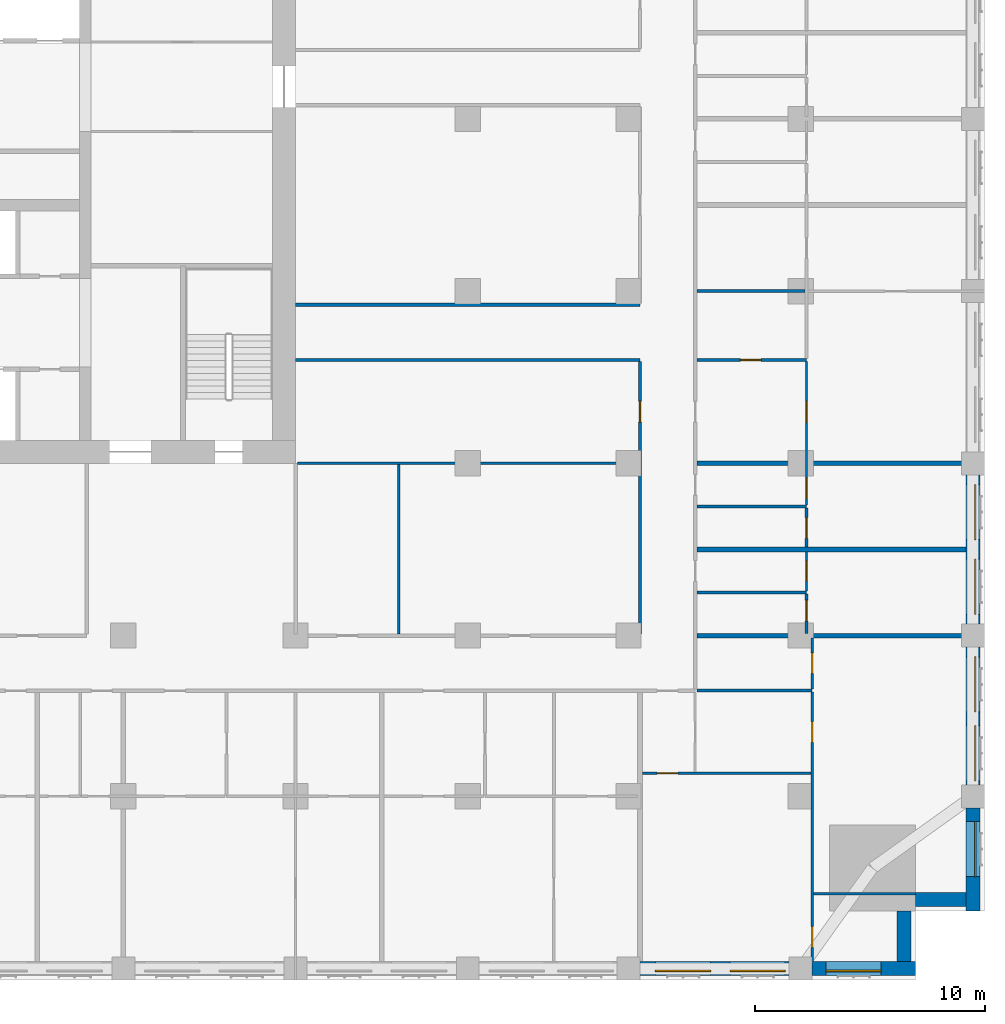
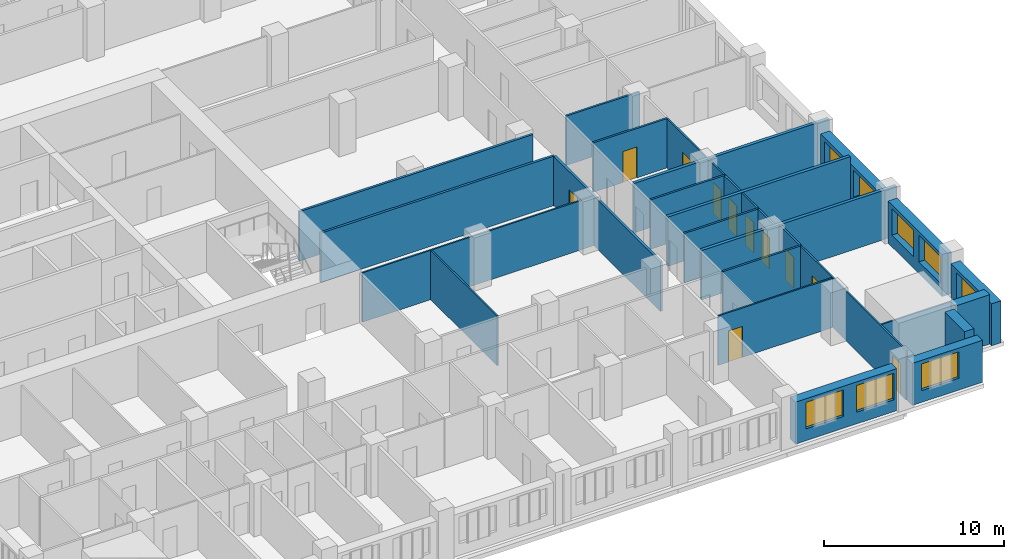
# One storey, part 7 of 15: 28 walls, 11 doors, 8 windows, 19 openings.
"""IFC4 building model written with IfcOpenShell, lengths in metres."""

from ifc_helpers import new_model, si_unit, direction, frame, frame_2d, origin, place, context, subcontext, project, spatial, rectangle, extrude, material, layer, layer_set, type_object, element, fill, save


model = new_model("IFC4")

# Units and contexts
model_context = context("Model", 3, precision=1e-05, world=origin(), true_north=direction((0.0, 1.0)))
body_context = subcontext(model_context, "Body", "Model", "MODEL_VIEW")
ifc_project = project(units=[si_unit("LENGTHUNIT", "METRE"), si_unit("AREAUNIT", "SQUARE_METRE"), si_unit("VOLUMEUNIT", "CUBIC_METRE"), si_unit("PLANEANGLEUNIT", "RADIAN"), si_unit("MASSUNIT", "GRAM", prefix="KILO")], contexts=[model_context])

# Site, building, storey
site_placement = place(None, origin())
site = spatial("IfcSite", under=ifc_project, at=site_placement, CompositionType="ELEMENT")
building_placement = place(site_placement, origin())
building = spatial("IfcBuilding", under=site, at=building_placement, Name="Tamorin Gate", CompositionType="ELEMENT")
storey_placement = place(building_placement, frame((0.0, 0.0, 111.5)))
storey = spatial("IfcBuildingStorey", under=building, at=storey_placement, Name="L27", CompositionType="ELEMENT", Elevation=111.5)

# Wall, openings, windows
ifc_material_1 = material(Name="Precast concrete C40/50", Category="concrete")
ifc_layer_1 = layer(ifc_material_1, 0.60009765625)
ifc_layer_set_1 = layer_set([ifc_layer_1], Name="Precast concrete C40/50")
wall_type_1 = type_object("IfcWallType", Name="Board-marked concrete facade panel 600", PredefinedType="SOLIDWALL", material=ifc_layer_set_1)
wall_1_placement = place(storey_placement, frame((75.0, 38.0, 0.0), z_axis=(0.0, 0.0, 1.0), x_axis=(1.0, 0.0, 0.0)))
wall_1 = element("IfcWall", 1, at=wall_1_placement, inside=storey, type_object=wall_type_1, Name="Facade panel", PredefinedType="SOLIDWALL", context=body_context, shape_type="SweptSolid", body=[
    extrude(rectangle(XDim=6.5, YDim=0.60009765625, at=frame_2d((3.25, 0.0))), origin(), (0.0, 0.0, 1.0), 2.85009765625),
])
opening_1_placement = place(wall_1_placement, frame((0.675048828125, 0.0, 0.800048828125)))
opening_1 = element("IfcOpeningElement", 2, at=opening_1_placement, cuts=wall_1, Name="Opening WN1", PredefinedType="OPENING", context=body_context, shape_type="SweptSolid", body=[
    extrude(rectangle(XDim=2.39990234375, YDim=1.800048828125, at=frame_2d((1.199951171875, 0.89990234375))), frame((0.0, 0.31005859375, 0.0), z_axis=(0.0, -1.0, 0.0), x_axis=(1.0, 0.0, 0.0)), (0.0, 0.0, 1.0), 0.6201171875),
])
opening_2_placement = place(wall_1_placement, frame((3.925048828125, 0.0, 0.800048828125)))
opening_2 = element("IfcOpeningElement", 3, at=opening_2_placement, cuts=wall_1, Name="Opening WN1", PredefinedType="OPENING", context=body_context, shape_type="SweptSolid", body=[
    extrude(rectangle(XDim=2.39990234375, YDim=1.800048828125, at=frame_2d((1.199951171875, 0.89990234375))), frame((0.0, 0.31005859375, 0.0), z_axis=(0.0, -1.0, 0.0), x_axis=(1.0, 0.0, 0.0)), (0.0, 0.0, 1.0), 0.6201171875),
])
ifc_material_2 = material(Name="Clear glass in aluminium frame", Category="aluminium")
window_type = type_object("IfcWindowType", Name="Deep-set window 2400x1800", PartitioningType="SINGLE_PANEL", PredefinedType="WINDOW", material=ifc_material_2)
window_1_placement = place(opening_1_placement, origin())
window_1 = element("IfcWindow", 4, at=window_1_placement, inside=storey, type_object=window_type, Name="Deep-set window", OverallHeight=1.800048828125, OverallWidth=2.39990234375, PartitioningType="SINGLE_PANEL", PredefinedType="WINDOW", context=body_context, shape_type="SweptSolid", body=[
    extrude(rectangle(XDim=2.39990234375, YDim=1.800048828125, at=frame_2d((1.199951171875, 0.89990234375))), frame((0.0, -0.070068359375, 0.0), z_axis=(0.0, -1.0, 0.0), x_axis=(1.0, 0.0, 0.0)), (0.0, 0.0, 1.0), 0.06005859375),
])
fill(opening_1, window_1)
window_2_placement = place(opening_2_placement, origin())
window_2 = element("IfcWindow", 5, at=window_2_placement, inside=storey, type_object=window_type, Name="Deep-set window", OverallHeight=1.800048828125, OverallWidth=2.39990234375, PartitioningType="SINGLE_PANEL", PredefinedType="WINDOW", context=body_context, shape_type="SweptSolid", body=[
    extrude(rectangle(XDim=2.39990234375, YDim=1.800048828125, at=frame_2d((1.199951171875, 0.89990234375))), frame((0.0, -0.070068359375, 0.0), z_axis=(0.0, -1.0, 0.0), x_axis=(1.0, 0.0, 0.0)), (0.0, 0.0, 1.0), 0.06005859375),
])
fill(opening_2, window_2)

# Wall, opening, window
wall_2_placement = place(storey_placement, frame((82.5, 38.0, 0.0), z_axis=(0.0, 0.0, 1.0), x_axis=(1.0, 0.0, 0.0)))
wall_2 = element("IfcWall", 6, at=wall_2_placement, inside=storey, type_object=wall_type_1, Name="Facade panel", PredefinedType="SOLIDWALL", context=body_context, shape_type="SweptSolid", body=[
    extrude(rectangle(XDim=4.5, YDim=0.60009765625, at=frame_2d((2.25, 0.0))), origin(), (0.0, 0.0, 1.0), 2.85009765625),
])
opening_3_placement = place(wall_2_placement, frame((0.60009765625, 0.0, 0.800048828125)))
opening_3 = element("IfcOpeningElement", 7, at=opening_3_placement, cuts=wall_2, Name="Opening WN1", PredefinedType="OPENING", context=body_context, shape_type="SweptSolid", body=[
    extrude(rectangle(XDim=2.39990234375, YDim=1.800048828125, at=frame_2d((1.199951171875, 0.89990234375))), frame((0.0, 0.31005859375, 0.0), z_axis=(0.0, -1.0, 0.0), x_axis=(1.0, 0.0, 0.0)), (0.0, 0.0, 1.0), 0.6201171875),
])
window_3_placement = place(opening_3_placement, origin())
window_3 = element("IfcWindow", 8, at=window_3_placement, inside=storey, type_object=window_type, Name="Deep-set window", OverallHeight=1.800048828125, OverallWidth=2.39990234375, PartitioningType="SINGLE_PANEL", PredefinedType="WINDOW", context=body_context, shape_type="SweptSolid", body=[
    extrude(rectangle(XDim=2.39990234375, YDim=1.800048828125, at=frame_2d((1.199951171875, 0.89990234375))), frame((0.0, -0.070068359375, 0.0), z_axis=(0.0, -1.0, 0.0), x_axis=(1.0, 0.0, 0.0)), (0.0, 0.0, 1.0), 0.06005859375),
])
fill(opening_3, window_3)

# Walls
for number, where, z_axis, x_axis, name in (
    (9, (86.5, 38.300048828125, 0.0), (0.0, 0.0, 1.0), (0.0, 1.0, 0.0), "Facade panel"),
    (10, (87.0, 41.0, 0.0), (0.0, 0.0, 1.0), (1.0, 0.0, 0.0), "Facade panel"),
):
    element("IfcWall", number, at=place(storey_placement, frame(where, z_axis=z_axis, x_axis=x_axis)), inside=storey, type_object=wall_type_1, Name=name, PredefinedType="SOLIDWALL", context=body_context, shape_type="SweptSolid", body=[
        extrude(rectangle(XDim=2.199951171875, YDim=0.60009765625, at=frame_2d((1.10009765625, 0.0))), origin(), (0.0, 0.0, 1.0), 3.35009765625),
    ])

# Wall, opening, window
wall_3_placement = place(storey_placement, frame((89.5, 40.5, 0.0), z_axis=(0.0, 0.0, 1.0), x_axis=(0.0, 1.0, 0.0)))
wall_3 = element("IfcWall", 11, at=wall_3_placement, inside=storey, type_object=wall_type_1, Name="Facade panel", PredefinedType="SOLIDWALL", context=body_context, shape_type="SweptSolid", body=[
    extrude(rectangle(XDim=4.5, YDim=0.60009765625, at=frame_2d((2.25, 0.0))), origin(), (0.0, 0.0, 1.0), 2.85009765625),
])
opening_4_placement = place(wall_3_placement, frame((1.5, 0.0, 0.800048828125)))
opening_4 = element("IfcOpeningElement", 12, at=opening_4_placement, cuts=wall_3, Name="Opening WN1", PredefinedType="OPENING", context=body_context, shape_type="SweptSolid", body=[
    extrude(rectangle(XDim=2.39990234375, YDim=1.800048828125, at=frame_2d((1.199951171875, 0.89990234375))), frame((0.0, 0.31005859375, 0.0), z_axis=(0.0, -1.0, 0.0), x_axis=(1.0, 0.0, 0.0)), (0.0, 0.0, 1.0), 0.6201171875),
])
window_4_placement = place(opening_4_placement, origin())
window_4 = element("IfcWindow", 13, at=window_4_placement, inside=storey, type_object=window_type, Name="Deep-set window", OverallHeight=1.800048828125, OverallWidth=2.39990234375, PartitioningType="SINGLE_PANEL", PredefinedType="WINDOW", context=body_context, shape_type="SweptSolid", body=[
    extrude(rectangle(XDim=2.39990234375, YDim=1.800048828125, at=frame_2d((1.199951171875, 0.89990234375))), frame((0.0, -0.070068359375, 0.0), z_axis=(0.0, -1.0, 0.0), x_axis=(1.0, 0.0, 0.0)), (0.0, 0.0, 1.0), 0.06005859375),
])
fill(opening_4, window_4)

# Wall, openings, windows
wall_4_placement = place(storey_placement, frame((89.5, 46.0, 0.0), z_axis=(0.0, 0.0, 1.0), x_axis=(0.0, 1.0, 0.0)))
wall_4 = element("IfcWall", 14, at=wall_4_placement, inside=storey, type_object=wall_type_1, Name="Facade panel", PredefinedType="SOLIDWALL", context=body_context, shape_type="SweptSolid", body=[
    extrude(rectangle(XDim=6.0, YDim=0.60009765625, at=frame_2d((3.0, 0.0))), origin(), (0.0, 0.0, 1.0), 2.85009765625),
])
opening_5_placement = place(wall_4_placement, frame((0.175048828125, 0.0, 0.800048828125)))
opening_5 = element("IfcOpeningElement", 15, at=opening_5_placement, cuts=wall_4, Name="Opening WN1", PredefinedType="OPENING", context=body_context, shape_type="SweptSolid", body=[
    extrude(rectangle(XDim=2.39990234375, YDim=1.800048828125, at=frame_2d((1.199951171875, 0.89990234375))), frame((0.0, 0.31005859375, 0.0), z_axis=(0.0, -1.0, 0.0), x_axis=(1.0, 0.0, 0.0)), (0.0, 0.0, 1.0), 0.6201171875),
])
opening_6_placement = place(wall_4_placement, frame((3.175048828125, 0.0, 0.800048828125)))
opening_6 = element("IfcOpeningElement", 16, at=opening_6_placement, cuts=wall_4, Name="Opening WN1", PredefinedType="OPENING", context=body_context, shape_type="SweptSolid", body=[
    extrude(rectangle(XDim=2.39990234375, YDim=1.800048828125, at=frame_2d((1.199951171875, 0.89990234375))), frame((0.0, 0.31005859375, 0.0), z_axis=(0.0, -1.0, 0.0), x_axis=(1.0, 0.0, 0.0)), (0.0, 0.0, 1.0), 0.6201171875),
])
window_5_placement = place(opening_5_placement, origin())
window_5 = element("IfcWindow", 17, at=window_5_placement, inside=storey, type_object=window_type, Name="Deep-set window", OverallHeight=1.800048828125, OverallWidth=2.39990234375, PartitioningType="SINGLE_PANEL", PredefinedType="WINDOW", context=body_context, shape_type="SweptSolid", body=[
    extrude(rectangle(XDim=2.39990234375, YDim=1.800048828125, at=frame_2d((1.199951171875, 0.89990234375))), frame((0.0, -0.070068359375, 0.0), z_axis=(0.0, -1.0, 0.0), x_axis=(1.0, 0.0, 0.0)), (0.0, 0.0, 1.0), 0.06005859375),
])
fill(opening_5, window_5)
window_6_placement = place(opening_6_placement, origin())
window_6 = element("IfcWindow", 18, at=window_6_placement, inside=storey, type_object=window_type, Name="Deep-set window", OverallHeight=1.800048828125, OverallWidth=2.39990234375, PartitioningType="SINGLE_PANEL", PredefinedType="WINDOW", context=body_context, shape_type="SweptSolid", body=[
    extrude(rectangle(XDim=2.39990234375, YDim=1.800048828125, at=frame_2d((1.199951171875, 0.89990234375))), frame((0.0, -0.070068359375, 0.0), z_axis=(0.0, -1.0, 0.0), x_axis=(1.0, 0.0, 0.0)), (0.0, 0.0, 1.0), 0.06005859375),
])
fill(opening_6, window_6)

wall_5_placement = place(storey_placement, frame((89.5, 53.0, 0.0), z_axis=(0.0, 0.0, 1.0), x_axis=(0.0, 1.0, 0.0)))
wall_5 = element("IfcWall", 19, at=wall_5_placement, inside=storey, type_object=wall_type_1, Name="Facade panel", PredefinedType="SOLIDWALL", context=body_context, shape_type="SweptSolid", body=[
    extrude(rectangle(XDim=6.5, YDim=0.60009765625, at=frame_2d((3.25, 0.0))), origin(), (0.0, 0.0, 1.0), 2.85009765625),
])
opening_7_placement = place(wall_5_placement, frame((0.425048828125, 0.0, 0.800048828125)))
opening_7 = element("IfcOpeningElement", 20, at=opening_7_placement, cuts=wall_5, Name="Opening WN1", PredefinedType="OPENING", context=body_context, shape_type="SweptSolid", body=[
    extrude(rectangle(XDim=2.39990234375, YDim=1.800048828125, at=frame_2d((1.199951171875, 0.89990234375))), frame((0.0, 0.31005859375, 0.0), z_axis=(0.0, -1.0, 0.0), x_axis=(1.0, 0.0, 0.0)), (0.0, 0.0, 1.0), 0.6201171875),
])
opening_8_placement = place(wall_5_placement, frame((3.675048828125, 0.0, 0.800048828125)))
opening_8 = element("IfcOpeningElement", 21, at=opening_8_placement, cuts=wall_5, Name="Opening WN1", PredefinedType="OPENING", context=body_context, shape_type="SweptSolid", body=[
    extrude(rectangle(XDim=2.39990234375, YDim=1.800048828125, at=frame_2d((1.199951171875, 0.89990234375))), frame((0.0, 0.31005859375, 0.0), z_axis=(0.0, -1.0, 0.0), x_axis=(1.0, 0.0, 0.0)), (0.0, 0.0, 1.0), 0.6201171875),
])
window_7_placement = place(opening_7_placement, origin())
window_7 = element("IfcWindow", 22, at=window_7_placement, inside=storey, type_object=window_type, Name="Deep-set window", OverallHeight=1.800048828125, OverallWidth=2.39990234375, PartitioningType="SINGLE_PANEL", PredefinedType="WINDOW", context=body_context, shape_type="SweptSolid", body=[
    extrude(rectangle(XDim=2.39990234375, YDim=1.800048828125, at=frame_2d((1.199951171875, 0.89990234375))), frame((0.0, -0.070068359375, 0.0), z_axis=(0.0, -1.0, 0.0), x_axis=(1.0, 0.0, 0.0)), (0.0, 0.0, 1.0), 0.06005859375),
])
fill(opening_7, window_7)
window_8_placement = place(opening_8_placement, origin())
window_8 = element("IfcWindow", 23, at=window_8_placement, inside=storey, type_object=window_type, Name="Deep-set window", OverallHeight=1.800048828125, OverallWidth=2.39990234375, PartitioningType="SINGLE_PANEL", PredefinedType="WINDOW", context=body_context, shape_type="SweptSolid", body=[
    extrude(rectangle(XDim=2.39990234375, YDim=1.800048828125, at=frame_2d((1.199951171875, 0.89990234375))), frame((0.0, -0.070068359375, 0.0), z_axis=(0.0, -1.0, 0.0), x_axis=(1.0, 0.0, 0.0)), (0.0, 0.0, 1.0), 0.06005859375),
])
fill(opening_8, window_8)

# Wall, opening, door
ifc_material_3 = material(Name="Gypsum board partition")
ifc_layer_2 = layer(ifc_material_3, 0.14990234375)
ifc_layer_set_2 = layer_set([ifc_layer_2], Name="Corridor wall 150")
wall_type_2 = type_object("IfcWallType", Name="Corridor wall 150", PredefinedType="PARTITIONING", material=ifc_layer_set_2)
wall_6_placement = place(storey_placement, frame((75.0, 52.574951171875, 0.0), z_axis=(0.0, 0.0, 1.0), x_axis=(0.0, 1.0, 0.0)))
wall_6 = element("IfcWall", 24, at=wall_6_placement, inside=storey, type_object=wall_type_2, Name="Corridor wall 150", PredefinedType="PARTITIONING", context=body_context, shape_type="SweptSolid", body=[
    extrude(rectangle(XDim=11.85009765625, YDim=0.14990234375, at=frame_2d((5.925048828125, 0.0))), origin(), (0.0, 0.0, 1.0), 3.35009765625),
])
opening_9_placement = place(wall_6_placement, frame((9.22509765625, 0.0, 0.0)))
opening_9 = element("IfcOpeningElement", 25, at=opening_9_placement, cuts=wall_6, Name="Opening DH6095", PredefinedType="OPENING", context=body_context, shape_type="SweptSolid", body=[
    extrude(rectangle(XDim=0.89990234375, YDim=2.10009765625, at=frame_2d((0.449951171875, 1.050048828125))), frame((0.0, 0.0849609375, 0.0), z_axis=(0.0, -1.0, 0.0), x_axis=(1.0, 0.0, 0.0)), (0.0, 0.0, 1.0), 0.169921875),
])
ifc_material_4 = material(Name="Timber door leaf", Category="wood")
door_type_1 = type_object("IfcDoorType", Name="Door 900 x 2100 FD30S", OperationType="NOTDEFINED", PredefinedType="DOOR", material=ifc_material_4)
door_1_placement = place(opening_9_placement, origin())
door_1 = element("IfcDoor", 26, at=door_1_placement, inside=storey, type_object=door_type_1, Name="Door DH6095", OperationType="SINGLE_SWING_LEFT", OverallHeight=2.10009765625, OverallWidth=0.89990234375, PredefinedType="DOOR", context=body_context, shape_type="SweptSolid", body=[
    extrude(rectangle(XDim=0.89990234375, YDim=2.10009765625, at=frame_2d((0.449951171875, 1.050048828125))), frame((0.0, 0.02490234375, 0.0), z_axis=(0.0, -1.0, 0.0), x_axis=(1.0, 0.0, 0.0)), (0.0, 0.0, 1.0), 0.050048828125),
])
fill(opening_9, door_1)

# Walls
ifc_layer_3 = layer(ifc_material_3, 0.199951171875)
ifc_layer_set_3 = layer_set([ifc_layer_3], Name="Demising wall 200")
wall_type_3 = type_object("IfcWallType", Name="Demising wall 200", PredefinedType="PARTITIONING", material=ifc_layer_set_3)
wall_7_placement = place(storey_placement, frame((77.47509765625, 52.5, 0.0), z_axis=(0.0, 0.0, 1.0), x_axis=(1.0, 0.0, 0.0)))
element("IfcWall", 27, at=wall_7_placement, inside=storey, type_object=wall_type_3, Name="Demising wall 200", PredefinedType="PARTITIONING", context=body_context, shape_type="SweptSolid", body=[
    extrude(rectangle(XDim=12.52490234375, YDim=0.199951171875, at=frame_2d((6.262451171875, 0.0))), origin(), (0.0, 0.0, 1.0), 3.35009765625),
])
wall_8_placement = place(storey_placement, frame((77.47509765625, 56.25, 0.0), z_axis=(0.0, 0.0, 1.0), x_axis=(1.0, 0.0, 0.0)))
element("IfcWall", 28, at=wall_8_placement, inside=storey, type_object=wall_type_3, Name="Demising wall 200", PredefinedType="PARTITIONING", context=body_context, shape_type="SweptSolid", body=[
    extrude(rectangle(XDim=11.71484375, YDim=0.199951171875, at=frame_2d((5.857421875, 0.0))), origin(), (0.0, 0.0, 1.0), 3.35009765625),
])
wall_9_placement = place(storey_placement, frame((77.47509765625, 60.0, 0.0), z_axis=(0.0, 0.0, 1.0), x_axis=(1.0, 0.0, 0.0)))
element("IfcWall", 29, at=wall_9_placement, inside=storey, type_object=wall_type_3, Name="Demising wall 200", PredefinedType="PARTITIONING", context=body_context, shape_type="SweptSolid", body=[
    extrude(rectangle(XDim=12.52490234375, YDim=0.199951171875, at=frame_2d((6.262451171875, 0.0))), origin(), (0.0, 0.0, 1.0), 3.35009765625),
])
ifc_layer_4 = layer(ifc_material_3, 0.14990234375)
ifc_layer_set_4 = layer_set([ifc_layer_4], Name="Lobby wall 150")
wall_type_4 = type_object("IfcWallType", Name="Lobby wall 150", PredefinedType="PARTITIONING", material=ifc_layer_set_4)
for number, where, z_axis, x_axis, name in (
    (30, (60.0, 64.5, 0.0), (0.0, 0.0, 1.0), (1.0, 0.0, 0.0), "Lobby wall 150"),
    (31, (60.0, 66.89990234375, 0.0), (0.0, 0.0, 1.0), (1.0, 0.0, 0.0), "Lobby wall 150"),
):
    element("IfcWall", number, at=place(storey_placement, frame(where, z_axis=z_axis, x_axis=x_axis)), inside=storey, type_object=wall_type_4, Name=name, PredefinedType="PARTITIONING", context=body_context, shape_type="SweptSolid", body=[
        extrude(rectangle(XDim=15.0, YDim=0.14990234375, at=frame_2d((7.5, 0.0))), origin(), (0.0, 0.0, 1.0), 3.35009765625),
    ])
ifc_layer_5 = layer(ifc_material_3, 0.10009765625)
ifc_layer_set_5 = layer_set([ifc_layer_5], Name="Room partition 100")
wall_type_5 = type_object("IfcWallType", Name="Room partition 100", PredefinedType="PARTITIONING", material=ifc_layer_set_5)
wall_10_placement = place(storey_placement, frame((82.550048828125, 41.25, 0.0), z_axis=(0.0, 0.0, 1.0), x_axis=(1.0, 0.0, 0.0)))
element("IfcWall", 32, at=wall_10_placement, inside=storey, type_object=wall_type_5, Name="Room partition 100", PredefinedType="PARTITIONING", context=body_context, shape_type="SweptSolid", body=[
    extrude(rectangle(XDim=4.43994140625, YDim=0.10009765625, at=frame_2d((2.219970703125, 0.0))), origin(), (0.0, 0.0, 1.0), 3.35009765625),
])

# Wall, opening, door
wall_11_placement = place(storey_placement, frame((75.10009765625, 46.5, 0.0), z_axis=(0.0, 0.0, 1.0), x_axis=(1.0, 0.0, 0.0)))
wall_11 = element("IfcWall", 33, at=wall_11_placement, inside=storey, type_object=wall_type_5, Name="Room partition 100", PredefinedType="PARTITIONING", context=body_context, shape_type="SweptSolid", body=[
    extrude(rectangle(XDim=7.349853515625, YDim=0.10009765625, at=frame_2d((3.6748046875, 0.0))), origin(), (0.0, 0.0, 1.0), 3.35009765625),
])
opening_10_placement = place(wall_11_placement, frame((0.64990234375, 0.0, 0.0)))
opening_10 = element("IfcOpeningElement", 34, at=opening_10_placement, cuts=wall_11, Name="Opening DH6075", PredefinedType="OPENING", context=body_context, shape_type="SweptSolid", body=[
    extrude(rectangle(XDim=0.89990234375, YDim=2.10009765625, at=frame_2d((0.449951171875, 1.050048828125))), frame((0.0, 0.06005859375, 0.0), z_axis=(0.0, -1.0, 0.0), x_axis=(1.0, 0.0, 0.0)), (0.0, 0.0, 1.0), 0.1201171875),
])
door_type_2 = type_object("IfcDoorType", Name="Door 900 x 2100", OperationType="NOTDEFINED", PredefinedType="DOOR", material=ifc_material_4)
door_2_placement = place(opening_10_placement, origin())
door_2 = element("IfcDoor", 35, at=door_2_placement, inside=storey, type_object=door_type_2, Name="Door DH6075", OperationType="SINGLE_SWING_RIGHT", OverallHeight=2.10009765625, OverallWidth=0.89990234375, PredefinedType="DOOR", context=body_context, shape_type="SweptSolid", body=[
    extrude(rectangle(XDim=0.89990234375, YDim=2.10009765625, at=frame_2d((0.449951171875, 1.050048828125))), frame((0.0, 0.02490234375, 0.0), z_axis=(0.0, -1.0, 0.0), x_axis=(1.0, 0.0, 0.0)), (0.0, 0.0, 1.0), 0.050048828125),
])
fill(opening_10, door_2)

# Walls
wall_12_placement = place(storey_placement, frame((60.074951171875, 60.0, 0.0), z_axis=(0.0, 0.0, 1.0), x_axis=(1.0, 0.0, 0.0)))
element("IfcWall", 36, at=wall_12_placement, inside=storey, type_object=wall_type_5, Name="Room partition 100", PredefinedType="PARTITIONING", context=body_context, shape_type="SweptSolid", body=[
    extrude(rectangle(XDim=14.85009765625, YDim=0.10009765625, at=frame_2d((7.425048828125, 0.0))), origin(), (0.0, 0.0, 1.0), 3.35009765625),
])
wall_13_placement = place(storey_placement, frame((64.5, 52.574951171875, 0.0), z_axis=(0.0, 0.0, 1.0), x_axis=(0.0, 1.0, 0.0)))
element("IfcWall", 37, at=wall_13_placement, inside=storey, type_object=wall_type_5, Name="Room partition 100", PredefinedType="PARTITIONING", context=body_context, shape_type="SweptSolid", body=[
    extrude(rectangle(XDim=7.375, YDim=0.10009765625, at=frame_2d((3.6875, 0.0))), origin(), (0.0, 0.0, 1.0), 3.35009765625),
])

# Wall, opening, door
wall_14_placement = place(storey_placement, frame((82.25, 54.4375, 0.0), z_axis=(0.0, 0.0, 1.0), x_axis=(0.0, 1.0, 0.0)))
wall_14 = element("IfcWall", 38, at=wall_14_placement, inside=storey, type_object=wall_type_5, Name="Room partition 100", PredefinedType="PARTITIONING", context=body_context, shape_type="SweptSolid", body=[
    extrude(rectangle(XDim=1.71240234375, YDim=0.10009765625, at=frame_2d((0.856201171875, 0.0))), origin(), (0.0, 0.0, 1.0), 3.35009765625),
])
opening_11_placement = place(wall_14_placement, frame((0.425048828125, 0.0, 0.0)))
opening_11 = element("IfcOpeningElement", 39, at=opening_11_placement, cuts=wall_14, Name="Opening DH6053", PredefinedType="OPENING", context=body_context, shape_type="SweptSolid", body=[
    extrude(rectangle(XDim=0.89990234375, YDim=2.10009765625, at=frame_2d((0.449951171875, 1.050048828125))), frame((0.0, 0.06005859375, 0.0), z_axis=(0.0, -1.0, 0.0), x_axis=(1.0, 0.0, 0.0)), (0.0, 0.0, 1.0), 0.1201171875),
])
door_3_placement = place(opening_11_placement, origin())
door_3 = element("IfcDoor", 40, at=door_3_placement, inside=storey, type_object=door_type_2, Name="Door DH6053", OperationType="SINGLE_SWING_LEFT", OverallHeight=2.10009765625, OverallWidth=0.89990234375, PredefinedType="DOOR", context=body_context, shape_type="SweptSolid", body=[
    extrude(rectangle(XDim=0.89990234375, YDim=2.10009765625, at=frame_2d((0.449951171875, 1.050048828125))), frame((0.0, 0.02490234375, 0.0), z_axis=(0.0, -1.0, 0.0), x_axis=(1.0, 0.0, 0.0)), (0.0, 0.0, 1.0), 0.050048828125),
])
fill(opening_11, door_3)

# Wall, openings, doors
wall_15_placement = place(storey_placement, frame((82.25, 58.1875, 0.0), z_axis=(0.0, 0.0, 1.0), x_axis=(0.0, 1.0, 0.0)))
wall_15 = element("IfcWall", 41, at=wall_15_placement, inside=storey, type_object=wall_type_5, Name="Room partition 100", PredefinedType="PARTITIONING", context=body_context, shape_type="SweptSolid", body=[
    extrude(rectangle(XDim=6.25, YDim=0.10009765625, at=frame_2d((3.125, 0.0))), origin(), (0.0, 0.0, 1.0), 3.35009765625),
])
opening_12_placement = place(wall_15_placement, frame((0.27490234375, 0.0, 0.0)))
opening_12 = element("IfcOpeningElement", 42, at=opening_12_placement, cuts=wall_15, Name="Opening DH6056", PredefinedType="OPENING", context=body_context, shape_type="SweptSolid", body=[
    extrude(rectangle(XDim=0.89990234375, YDim=2.10009765625, at=frame_2d((0.449951171875, 1.050048828125))), frame((0.0, 0.06005859375, 0.0), z_axis=(0.0, -1.0, 0.0), x_axis=(1.0, 0.0, 0.0)), (0.0, 0.0, 1.0), 0.1201171875),
])
opening_13_placement = place(wall_15_placement, frame((3.612548828125, 0.0, 0.0)))
opening_13 = element("IfcOpeningElement", 43, at=opening_13_placement, cuts=wall_15, Name="Opening DH6058", PredefinedType="OPENING", context=body_context, shape_type="SweptSolid", body=[
    extrude(rectangle(XDim=0.89990234375, YDim=2.10009765625, at=frame_2d((0.449951171875, 1.050048828125))), frame((0.0, 0.06005859375, 0.0), z_axis=(0.0, -1.0, 0.0), x_axis=(1.0, 0.0, 0.0)), (0.0, 0.0, 1.0), 0.1201171875),
])
door_4_placement = place(opening_12_placement, origin())
door_4 = element("IfcDoor", 44, at=door_4_placement, inside=storey, type_object=door_type_2, Name="Door DH6056", OperationType="SINGLE_SWING_LEFT", OverallHeight=2.10009765625, OverallWidth=0.89990234375, PredefinedType="DOOR", context=body_context, shape_type="SweptSolid", body=[
    extrude(rectangle(XDim=0.89990234375, YDim=2.10009765625, at=frame_2d((0.449951171875, 1.050048828125))), frame((0.0, 0.02490234375, 0.0), z_axis=(0.0, -1.0, 0.0), x_axis=(1.0, 0.0, 0.0)), (0.0, 0.0, 1.0), 0.050048828125),
])
fill(opening_12, door_4)
door_5_placement = place(opening_13_placement, origin())
door_5 = element("IfcDoor", 45, at=door_5_placement, inside=storey, type_object=door_type_2, Name="Door DH6058", OperationType="SINGLE_SWING_LEFT", OverallHeight=2.10009765625, OverallWidth=0.89990234375, PredefinedType="DOOR", context=body_context, shape_type="SweptSolid", body=[
    extrude(rectangle(XDim=0.89990234375, YDim=2.10009765625, at=frame_2d((0.449951171875, 1.050048828125))), frame((0.0, 0.02490234375, 0.0), z_axis=(0.0, -1.0, 0.0), x_axis=(1.0, 0.0, 0.0)), (0.0, 0.0, 1.0), 0.050048828125),
])
fill(opening_13, door_5)

wall_16_placement = place(storey_placement, frame((82.5, 38.31005859375, 0.0), z_axis=(0.0, 0.0, 1.0), x_axis=(0.0, 1.0, 0.0)))
wall_16 = element("IfcWall", 46, at=wall_16_placement, inside=storey, type_object=wall_type_5, Name="Room partition 100", PredefinedType="PARTITIONING", context=body_context, shape_type="SweptSolid", body=[
    extrude(rectangle(XDim=11.7275390625, YDim=0.10009765625, at=frame_2d((5.86376953125, 0.0))), origin(), (0.0, 0.0, 1.0), 3.35009765625),
])
opening_14_placement = place(wall_16_placement, frame((0.614990234375, 0.0, 0.0)))
opening_14 = element("IfcOpeningElement", 47, at=opening_14_placement, cuts=wall_16, Name="Opening DH6077", PredefinedType="OPENING", context=body_context, shape_type="SweptSolid", body=[
    extrude(rectangle(XDim=0.89990234375, YDim=2.10009765625, at=frame_2d((0.449951171875, 1.050048828125))), frame((0.0, 0.06005859375, 0.0), z_axis=(0.0, -1.0, 0.0), x_axis=(1.0, 0.0, 0.0)), (0.0, 0.0, 1.0), 0.1201171875),
])
opening_15_placement = place(wall_16_placement, frame((9.5400390625, 0.0, 0.0)))
opening_15 = element("IfcOpeningElement", 48, at=opening_15_placement, cuts=wall_16, Name="Opening DH6078", PredefinedType="OPENING", context=body_context, shape_type="SweptSolid", body=[
    extrude(rectangle(XDim=0.89990234375, YDim=2.10009765625, at=frame_2d((0.449951171875, 1.050048828125))), frame((0.0, 0.06005859375, 0.0), z_axis=(0.0, -1.0, 0.0), x_axis=(1.0, 0.0, 0.0)), (0.0, 0.0, 1.0), 0.1201171875),
])
door_6_placement = place(opening_14_placement, origin())
door_6 = element("IfcDoor", 49, at=door_6_placement, inside=storey, type_object=door_type_2, Name="Door DH6077", OperationType="SINGLE_SWING_LEFT", OverallHeight=2.10009765625, OverallWidth=0.89990234375, PredefinedType="DOOR", context=body_context, shape_type="SweptSolid", body=[
    extrude(rectangle(XDim=0.89990234375, YDim=2.10009765625, at=frame_2d((0.449951171875, 1.050048828125))), frame((0.0, 0.02490234375, 0.0), z_axis=(0.0, -1.0, 0.0), x_axis=(1.0, 0.0, 0.0)), (0.0, 0.0, 1.0), 0.050048828125),
])
fill(opening_14, door_6)
door_7_placement = place(opening_15_placement, origin())
door_7 = element("IfcDoor", 50, at=door_7_placement, inside=storey, type_object=door_type_2, Name="Door DH6078", OperationType="SINGLE_SWING_RIGHT", OverallHeight=2.10009765625, OverallWidth=0.89990234375, PredefinedType="DOOR", context=body_context, shape_type="SweptSolid", body=[
    extrude(rectangle(XDim=0.89990234375, YDim=2.10009765625, at=frame_2d((0.449951171875, 1.050048828125))), frame((0.0, 0.02490234375, 0.0), z_axis=(0.0, -1.0, 0.0), x_axis=(1.0, 0.0, 0.0)), (0.0, 0.0, 1.0), 0.050048828125),
])
fill(opening_15, door_7)

# Walls
ifc_layer_6 = layer(ifc_material_3, 0.125)
ifc_layer_set_6 = layer_set([ifc_layer_6], Name="Wet wall 125")
wall_type_6 = type_object("IfcWallType", Name="Wet wall 125", PredefinedType="PARTITIONING", material=ifc_layer_set_6)
wall_17_placement = place(storey_placement, frame((77.47509765625, 50.10009765625, 0.0), z_axis=(0.0, 0.0, 1.0), x_axis=(1.0, 0.0, 0.0)))
element("IfcWall", 51, at=wall_17_placement, inside=storey, type_object=wall_type_6, Name="Wet wall 125", PredefinedType="PARTITIONING", context=body_context, shape_type="SweptSolid", body=[
    extrude(rectangle(XDim=5.02490234375, YDim=0.125, at=frame_2d((2.512451171875, 0.0))), origin(), (0.0, 0.0, 1.0), 3.35009765625),
])
for number, where, z_axis, x_axis, name in (
    (52, (77.47509765625, 54.375, 0.0), (0.0, 0.0, 1.0), (1.0, 0.0, 0.0), "Wet wall 125"),
    (53, (77.47509765625, 58.125, 0.0), (0.0, 0.0, 1.0), (1.0, 0.0, 0.0), "Wet wall 125"),
):
    element("IfcWall", number, at=place(storey_placement, frame(where, z_axis=z_axis, x_axis=x_axis)), inside=storey, type_object=wall_type_6, Name=name, PredefinedType="PARTITIONING", context=body_context, shape_type="SweptSolid", body=[
        extrude(rectangle(XDim=4.77490234375, YDim=0.125, at=frame_2d((2.387451171875, 0.0))), origin(), (0.0, 0.0, 1.0), 3.35009765625),
    ])

# Wall, opening, door
wall_18_placement = place(storey_placement, frame((77.47509765625, 64.5, 0.0), z_axis=(0.0, 0.0, 1.0), x_axis=(1.0, 0.0, 0.0)))
wall_18 = element("IfcWall", 54, at=wall_18_placement, inside=storey, type_object=wall_type_6, Name="Wet wall 125", PredefinedType="PARTITIONING", context=body_context, shape_type="SweptSolid", body=[
    extrude(rectangle(XDim=4.77490234375, YDim=0.125, at=frame_2d((2.387451171875, 0.0))), origin(), (0.0, 0.0, 1.0), 3.35009765625),
])
opening_16_placement = place(wall_18_placement, frame((1.89990234375, 0.0, 0.0)))
opening_16 = element("IfcOpeningElement", 55, at=opening_16_placement, cuts=wall_18, Name="Opening DH6059", PredefinedType="OPENING", context=body_context, shape_type="SweptSolid", body=[
    extrude(rectangle(XDim=0.89990234375, YDim=2.10009765625, at=frame_2d((0.449951171875, 1.050048828125))), frame((0.0, 0.072509765625, 0.0), z_axis=(0.0, -1.0, 0.0), x_axis=(1.0, 0.0, 0.0)), (0.0, 0.0, 1.0), 0.14501953125),
])
door_8_placement = place(opening_16_placement, origin())
door_8 = element("IfcDoor", 56, at=door_8_placement, inside=storey, type_object=door_type_2, Name="Door DH6059", OperationType="SINGLE_SWING_RIGHT", OverallHeight=2.10009765625, OverallWidth=0.89990234375, PredefinedType="DOOR", context=body_context, shape_type="SweptSolid", body=[
    extrude(rectangle(XDim=0.89990234375, YDim=2.10009765625, at=frame_2d((0.449951171875, 1.050048828125))), frame((0.0, 0.02490234375, 0.0), z_axis=(0.0, -1.0, 0.0), x_axis=(1.0, 0.0, 0.0)), (0.0, 0.0, 1.0), 0.050048828125),
])
fill(opening_16, door_8)

# Wall
wall_19_placement = place(storey_placement, frame((77.47509765625, 67.5, 0.0), z_axis=(0.0, 0.0, 1.0), x_axis=(1.0, 0.0, 0.0)))
element("IfcWall", 57, at=wall_19_placement, inside=storey, type_object=wall_type_6, Name="Wet wall 125", PredefinedType="PARTITIONING", context=body_context, shape_type="SweptSolid", body=[
    extrude(rectangle(XDim=4.71240234375, YDim=0.125, at=frame_2d((2.356201171875, 0.0))), origin(), (0.0, 0.0, 1.0), 3.35009765625),
])

# Wall, opening, door
wall_20_placement = place(storey_placement, frame((82.25, 52.60009765625, 0.0), z_axis=(0.0, 0.0, 1.0), x_axis=(0.0, 1.0, 0.0)))
wall_20 = element("IfcWall", 58, at=wall_20_placement, inside=storey, type_object=wall_type_6, Name="Wet wall 125", PredefinedType="PARTITIONING", context=body_context, shape_type="SweptSolid", body=[
    extrude(rectangle(XDim=1.71240234375, YDim=0.125, at=frame_2d((0.856201171875, 0.0))), origin(), (0.0, 0.0, 1.0), 3.35009765625),
])
opening_17_placement = place(wall_20_placement, frame((0.53759765625, 0.0, 0.0)))
opening_17 = element("IfcOpeningElement", 59, at=opening_17_placement, cuts=wall_20, Name="Opening DH6051", PredefinedType="OPENING", context=body_context, shape_type="SweptSolid", body=[
    extrude(rectangle(XDim=0.89990234375, YDim=2.10009765625, at=frame_2d((0.449951171875, 1.050048828125))), frame((0.0, 0.072509765625, 0.0), z_axis=(0.0, -1.0, 0.0), x_axis=(1.0, 0.0, 0.0)), (0.0, 0.0, 1.0), 0.14501953125),
])
door_9_placement = place(opening_17_placement, origin())
door_9 = element("IfcDoor", 60, at=door_9_placement, inside=storey, type_object=door_type_2, Name="Door DH6051", OperationType="SINGLE_SWING_RIGHT", OverallHeight=2.10009765625, OverallWidth=0.89990234375, PredefinedType="DOOR", context=body_context, shape_type="SweptSolid", body=[
    extrude(rectangle(XDim=0.89990234375, YDim=2.10009765625, at=frame_2d((0.449951171875, 1.050048828125))), frame((0.0, 0.02490234375, 0.0), z_axis=(0.0, -1.0, 0.0), x_axis=(1.0, 0.0, 0.0)), (0.0, 0.0, 1.0), 0.050048828125),
])
fill(opening_17, door_9)

wall_21_placement = place(storey_placement, frame((82.25, 56.35009765625, 0.0), z_axis=(0.0, 0.0, 1.0), x_axis=(0.0, 1.0, 0.0)))
wall_21 = element("IfcWall", 61, at=wall_21_placement, inside=storey, type_object=wall_type_6, Name="Wet wall 125", PredefinedType="PARTITIONING", context=body_context, shape_type="SweptSolid", body=[
    extrude(rectangle(XDim=1.71240234375, YDim=0.125, at=frame_2d((0.856201171875, 0.0))), origin(), (0.0, 0.0, 1.0), 3.35009765625),
])
opening_18_placement = place(wall_21_placement, frame((0.387451171875, 0.0, 0.0)))
opening_18 = element("IfcOpeningElement", 62, at=opening_18_placement, cuts=wall_21, Name="Opening DH6054", PredefinedType="OPENING", context=body_context, shape_type="SweptSolid", body=[
    extrude(rectangle(XDim=0.89990234375, YDim=2.10009765625, at=frame_2d((0.449951171875, 1.050048828125))), frame((0.0, 0.072509765625, 0.0), z_axis=(0.0, -1.0, 0.0), x_axis=(1.0, 0.0, 0.0)), (0.0, 0.0, 1.0), 0.14501953125),
])
door_10_placement = place(opening_18_placement, origin())
door_10 = element("IfcDoor", 63, at=door_10_placement, inside=storey, type_object=door_type_2, Name="Door DH6054", OperationType="SINGLE_SWING_LEFT", OverallHeight=2.10009765625, OverallWidth=0.89990234375, PredefinedType="DOOR", context=body_context, shape_type="SweptSolid", body=[
    extrude(rectangle(XDim=0.89990234375, YDim=2.10009765625, at=frame_2d((0.449951171875, 1.050048828125))), frame((0.0, 0.02490234375, 0.0), z_axis=(0.0, -1.0, 0.0), x_axis=(1.0, 0.0, 0.0)), (0.0, 0.0, 1.0), 0.050048828125),
])
fill(opening_18, door_10)

wall_22_placement = place(storey_placement, frame((82.5, 50.16259765625, 0.0), z_axis=(0.0, 0.0, 1.0), x_axis=(0.0, 1.0, 0.0)))
wall_22 = element("IfcWall", 64, at=wall_22_placement, inside=storey, type_object=wall_type_6, Name="Wet wall 125", PredefinedType="PARTITIONING", context=body_context, shape_type="SweptSolid", body=[
    extrude(rectangle(XDim=2.2373046875, YDim=0.125, at=frame_2d((1.11865234375, 0.0))), origin(), (0.0, 0.0, 1.0), 3.35009765625),
])
opening_19_placement = place(wall_22_placement, frame((0.6875, 0.0, 0.0)))
opening_19 = element("IfcOpeningElement", 65, at=opening_19_placement, cuts=wall_22, Name="Opening DH6079", PredefinedType="OPENING", context=body_context, shape_type="SweptSolid", body=[
    extrude(rectangle(XDim=0.89990234375, YDim=2.10009765625, at=frame_2d((0.449951171875, 1.050048828125))), frame((0.0, 0.072509765625, 0.0), z_axis=(0.0, -1.0, 0.0), x_axis=(1.0, 0.0, 0.0)), (0.0, 0.0, 1.0), 0.14501953125),
])
door_11_placement = place(opening_19_placement, origin())
door_11 = element("IfcDoor", 66, at=door_11_placement, inside=storey, type_object=door_type_2, Name="Door DH6079", OperationType="SINGLE_SWING_LEFT", OverallHeight=2.10009765625, OverallWidth=0.89990234375, PredefinedType="DOOR", context=body_context, shape_type="SweptSolid", body=[
    extrude(rectangle(XDim=0.89990234375, YDim=2.10009765625, at=frame_2d((0.449951171875, 1.050048828125))), frame((0.0, 0.02490234375, 0.0), z_axis=(0.0, -1.0, 0.0), x_axis=(1.0, 0.0, 0.0)), (0.0, 0.0, 1.0), 0.050048828125),
])
fill(opening_19, door_11)

save(model, "model.ifc")
